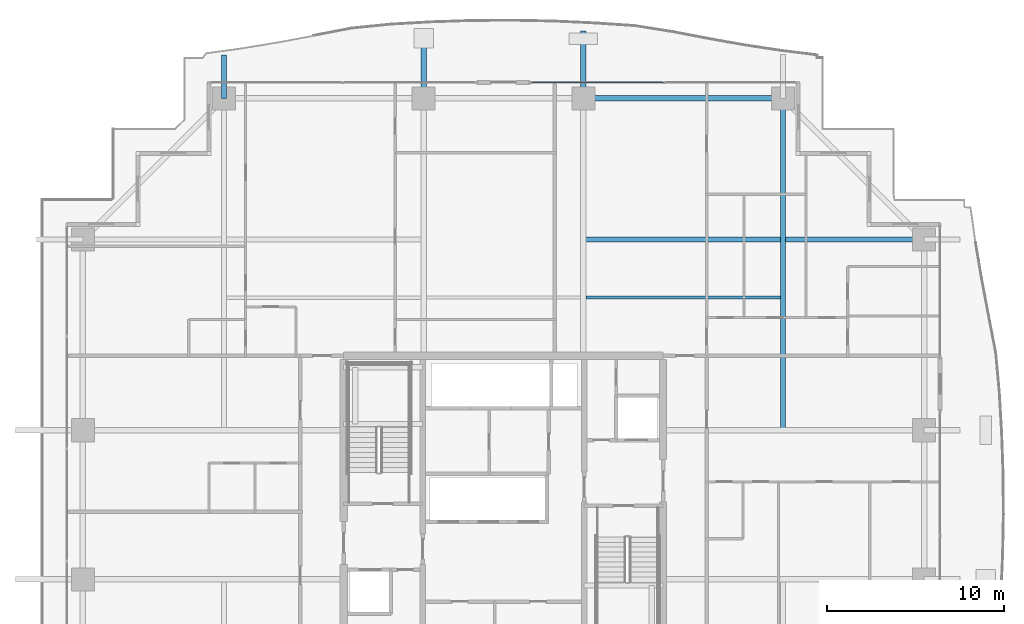
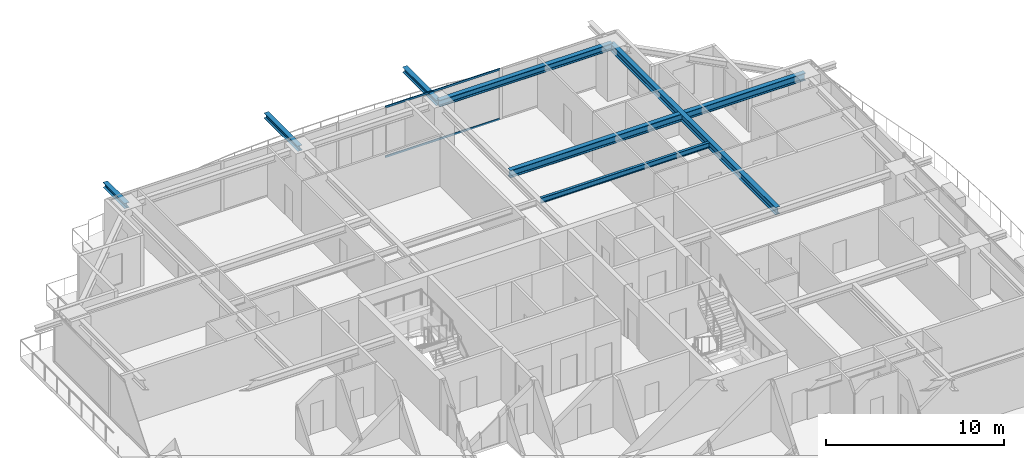
# One storey, part 19 of 33: 7 beams, 2 members, 1 element without a shape of its own.
"""IFC4 building model written with IfcOpenShell, lengths in metres."""

from ifc_helpers import new_model, si_unit, direction, frame, origin, origin_2d, place, context, subcontext, project, spatial, hollow_rectangle, i_section, extrude, source, transform, mapped, material, layer, layer_set, material_profile, profile_set, type_object, element, aggregate, save


model = new_model("IFC4")

# Units and contexts
model_context = context("Model", 3, precision=1e-05, world=origin(), true_north=direction((0.0, 1.0)))
body_context = subcontext(model_context, "Body", "Model", "MODEL_VIEW")
ifc_project = project(units=[si_unit("LENGTHUNIT", "METRE"), si_unit("AREAUNIT", "SQUARE_METRE"), si_unit("VOLUMEUNIT", "CUBIC_METRE"), si_unit("PLANEANGLEUNIT", "RADIAN"), si_unit("MASSUNIT", "GRAM", prefix="KILO")], contexts=[model_context])

# Site, building, storey
site_placement = place(None, origin())
site = spatial("IfcSite", under=ifc_project, at=site_placement, CompositionType="ELEMENT")
building_placement = place(site_placement, origin())
building = spatial("IfcBuilding", under=site, at=building_placement, Name="Serunith Strait Residences", CompositionType="ELEMENT")
storey_placement = place(building_placement, frame((0.0, 0.0, 150.14990234375)))
storey = spatial("IfcBuildingStorey", under=building, at=storey_placement, Name="L37", CompositionType="ELEMENT", Elevation=150.14990234375)

# Beams
ifc_material_1 = material(Name="Steel S355J2", Category="steel")
ifc_material_profile_1 = material_profile(ifc_material_1, i_section(OverallWidth=0.300048828125, OverallDepth=0.5, WebThickness=0.014404296875, FlangeThickness=0.028076171875, FilletRadius=0.027099609375, at=origin_2d()), Name="HEB 500")
ifc_profile_set_1 = profile_set([ifc_material_profile_1], Name="Steel S355J2")
beam_type_1 = type_object("IfcBeamType", Name="BM-HEB500", PredefinedType="BEAM", material=ifc_profile_set_1)
shared_shape_1 = source(origin(), body_context, "Body", "SweptSolid", [
    extrude(i_section(OverallWidth=0.300048828125, OverallDepth=0.5, WebThickness=0.014404296875, FlangeThickness=0.028076171875, FilletRadius=0.027099609375, at=origin_2d()), origin(), (0.0, 0.0, 1.0), 18.7001953125),
])
beam_1_placement = place(storey_placement, frame((48.14990234375, 29.39990234375, 3.237060546875), z_axis=(0.0, 1.0, 0.0), x_axis=(-1.0, 0.0, 0.0)))
element("IfcBeam", 1, at=beam_1_placement, inside=storey, type_object=beam_type_1, Name="L37 Orthogonal Corner Girder TC-N4", PredefinedType="BEAM", context=body_context, shape_type="MappedRepresentation", body=[
    mapped(shared_shape_1, transform((0.0, 0.0, 0.0), scale=1.0)),
])
shared_shape_2 = source(origin(), body_context, "Body", "SweptSolid", [
    extrude(i_section(OverallWidth=0.300048828125, OverallDepth=0.5, WebThickness=0.014404296875, FlangeThickness=0.028076171875, FilletRadius=0.027099609375, at=origin_2d()), origin(), (0.0, 0.0, 1.0), 19.2001953125),
])
beam_2_placement = place(storey_placement, frame((36.89990234375, 40.14990234375, 3.237060546875), z_axis=(1.0, 0.0, 0.0), x_axis=(0.0, 1.0, 0.0)))
element("IfcBeam", 2, at=beam_2_placement, inside=storey, type_object=beam_type_1, Name="L37 Orthogonal Corner Girder TC-E4", PredefinedType="BEAM", context=body_context, shape_type="MappedRepresentation", body=[
    mapped(shared_shape_2, transform((0.0, 0.0, 0.0), scale=1.0)),
])
ifc_material_profile_2 = material_profile(ifc_material_1, i_section(OverallWidth=0.300048828125, OverallDepth=0.449951171875, WebThickness=0.013916015625, FlangeThickness=0.02587890625, FilletRadius=0.027099609375, at=origin_2d()), Name="HEB 450")
ifc_profile_set_2 = profile_set([ifc_material_profile_2], Name="Steel S355J2")
beam_type_2 = type_object("IfcBeamType", Name="BM-HEB450", PredefinedType="BEAM", material=ifc_profile_set_2)
shared_shape_3 = source(origin(), body_context, "Body", "SweptSolid", [
    extrude(i_section(OverallWidth=0.300048828125, OverallDepth=0.449951171875, WebThickness=0.013916015625, FlangeThickness=0.02587890625, FilletRadius=0.027099609375, at=origin_2d()), origin(), (0.0, 0.0, 1.0), 11.25),
])
beam_3_placement = place(storey_placement, frame((48.14990234375, 48.10009765625, 3.26220703125), z_axis=(-1.0, 0.0, 0.0), x_axis=(0.0, -1.0, 0.0)))
element("IfcBeam", 3, at=beam_3_placement, inside=storey, type_object=beam_type_2, Name="L37 Perimeter Ring Beam 09", PredefinedType="BEAM", context=body_context, shape_type="MappedRepresentation", body=[
    mapped(shared_shape_3, transform((0.0, 0.0, 0.0), scale=1.0)),
])
ifc_material_profile_3 = material_profile(ifc_material_1, i_section(OverallWidth=0.169921875, OverallDepth=0.360107421875, WebThickness=0.008056640625, FlangeThickness=0.0126953125, FilletRadius=0.01806640625, at=origin_2d()), Name="IPE 360")
ifc_profile_set_3 = profile_set([ifc_material_profile_3], Name="Steel S355J2")
beam_type_3 = type_object("IfcBeamType", Name="BM-IPE360", PredefinedType="JOIST", material=ifc_profile_set_3)
shared_shape_4 = source(origin(), body_context, "Body", "SweptSolid", [
    extrude(i_section(OverallWidth=0.169921875, OverallDepth=0.360107421875, WebThickness=0.008056640625, FlangeThickness=0.0126953125, FilletRadius=0.01806640625, at=origin_2d()), origin(), (0.0, 0.0, 1.0), 10.949951171875),
])
beam_4_placement = place(storey_placement, frame((37.050048828125, 36.875, 3.30712890625), z_axis=(1.0, 0.0, 0.0), x_axis=(0.0, 1.0, 0.0)))
element("IfcBeam", 4, at=beam_4_placement, inside=storey, type_object=beam_type_3, Name="L37 Composite Floor Joist 06", PredefinedType="JOIST", context=body_context, shape_type="MappedRepresentation", body=[
    mapped(shared_shape_4, transform((0.0, 0.0, 0.0), scale=1.0)),
])
ifc_material_profile_4 = material_profile(ifc_material_1, i_section(OverallWidth=0.300048828125, OverallDepth=0.360107421875, WebThickness=0.012451171875, FlangeThickness=0.0224609375, FilletRadius=0.027099609375, at=origin_2d()), Name="HEB 360")
ifc_profile_set_4 = profile_set([ifc_material_profile_4], Name="Steel S355J2")
beam_type_4 = type_object("IfcBeamType", Name="BM-HEB360", PredefinedType="BEAM", material=ifc_profile_set_4)
shared_shape_5 = source(origin(), body_context, "Body", "SweptSolid", [
    extrude(i_section(OverallWidth=0.300048828125, OverallDepth=0.360107421875, WebThickness=0.012451171875, FlangeThickness=0.0224609375, FilletRadius=0.027099609375, at=origin_2d()), origin(), (0.0, 0.0, 1.0), 3.7998046875),
])
for number, where, z_axis, x_axis, name in (
    (5, (27.89990234375, 48.10009765625, 3.277099609375), (0.0, 1.0, 0.0), (-1.0, 0.0, 0.0), "L38 Cantilevered Balcony Rib TC-N2"),
    (6, (36.89990234375, 48.10009765625, 3.277099609375), (0.0, 1.0, 0.0), (-1.0, 0.0, 0.0), "L38 Cantilevered Balcony Rib TC-N3"),
):
    element("IfcBeam", number, at=place(storey_placement, frame(where, z_axis=z_axis, x_axis=x_axis)), inside=storey, type_object=beam_type_4, Name=name, PredefinedType="BEAM", context=body_context, shape_type="MappedRepresentation", body=[
        mapped(shared_shape_5, transform((0.0, 0.0, 0.0), scale=1.0)),
    ])
shared_shape_6 = source(origin(), body_context, "Body", "SweptSolid", [
    extrude(i_section(OverallWidth=0.300048828125, OverallDepth=0.360107421875, WebThickness=0.012451171875, FlangeThickness=0.0224609375, FilletRadius=0.027099609375, at=origin_2d()), origin(), (0.0, 0.0, 1.0), 2.437744140625),
])
beam_5_placement = place(storey_placement, frame((16.64990234375, 48.10009765625, 3.277099609375), z_axis=(0.0, 1.0, 0.0), x_axis=(-1.0, 0.0, 0.0)))
element("IfcBeam", 7, at=beam_5_placement, inside=storey, type_object=beam_type_4, Name="L38 Cantilevered Balcony Rib TC-N1", PredefinedType="BEAM", context=body_context, shape_type="MappedRepresentation", body=[
    mapped(shared_shape_6, transform((0.0, 0.0, 0.0), scale=1.0)),
])

# Curtain wall, members
ifc_material_2 = material(Name="Pale-Champagne Anodised Aluminium", Category="aluminium")
ifc_layer = layer(ifc_material_2, 0.199951171875, Name="Pale-Champagne Anodised Aluminium")
ifc_layer_set = layer_set([ifc_layer], Name="Pale-Champagne Anodised Aluminium")
curtain_wall_type = type_object("IfcCurtainWallType", Name="CW-SYS2", PredefinedType="NOTDEFINED", material=ifc_layer_set)
curtain_wall_placement = place(storey_placement, origin())
curtain_wall = element("IfcCurtainWall", 8, at=curtain_wall_placement, inside=storey, type_object=curtain_wall_type, Name="L37 N Unitised Fritted Curtain Wall", PredefinedType="NOTDEFINED")
ifc_material_profile_5 = material_profile(ifc_material_2, hollow_rectangle(XDim=0.06005859375, YDim=0.139892578125, WallThickness=0.00341796875, InnerFilletRadius=0.00537109375, OuterFilletRadius=0.0087890625, at=origin_2d()), Name="ALU 140x60x3.5")
ifc_profile_set_5 = profile_set([ifc_material_profile_5], Name="Pale-Champagne Anodised Aluminium")
member_type = type_object("IfcMemberType", Name="CW-SYS2-TRAN", PredefinedType="USERDEFINED", material=ifc_profile_set_5)
shared_shape_7 = source(origin(), body_context, "Body", "SweptSolid", [
    extrude(hollow_rectangle(XDim=0.06005859375, YDim=0.139892578125, WallThickness=0.00341796875, InnerFilletRadius=0.00537109375, OuterFilletRadius=0.0087890625, at=origin_2d()), origin(), (0.0, 0.0, 1.0), 7.445068359375),
])
member_1_placement = place(storey_placement, frame((41.4150390625, 49.0, 0.030029296875), z_axis=(-1.0, 0.0, 0.0), x_axis=(0.0, -1.0, 0.0)))
member_1 = element("IfcMember", 9, at=member_1_placement, type_object=member_type, Name="CW-2 transom 2.1", ObjectType="TRANSOM", PredefinedType="USERDEFINED", context=body_context, shape_type="MappedRepresentation", body=[
    mapped(shared_shape_7, transform((0.0, 0.0, 0.0), scale=1.0)),
])
member_2_placement = place(storey_placement, frame((41.4150390625, 49.0, 3.445068359375), z_axis=(-1.0, 0.0, 0.0), x_axis=(0.0, -1.0, 0.0)))
member_2 = element("IfcMember", 10, at=member_2_placement, type_object=member_type, Name="CW-2 transom 2.2", ObjectType="TRANSOM", PredefinedType="USERDEFINED", context=body_context, shape_type="MappedRepresentation", body=[
    mapped(shared_shape_7, transform((0.0, 0.0, 0.0), scale=1.0)),
])
aggregate(curtain_wall, [member_1, member_2])

save(model, "model.ifc")
